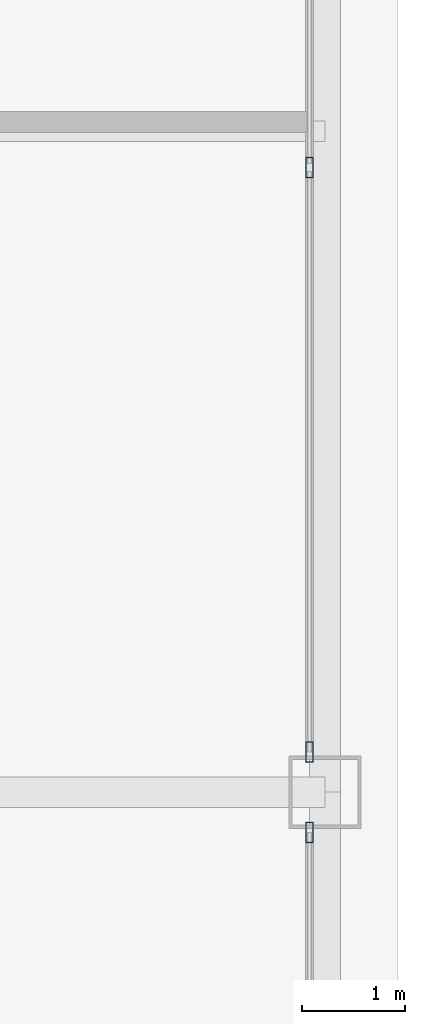
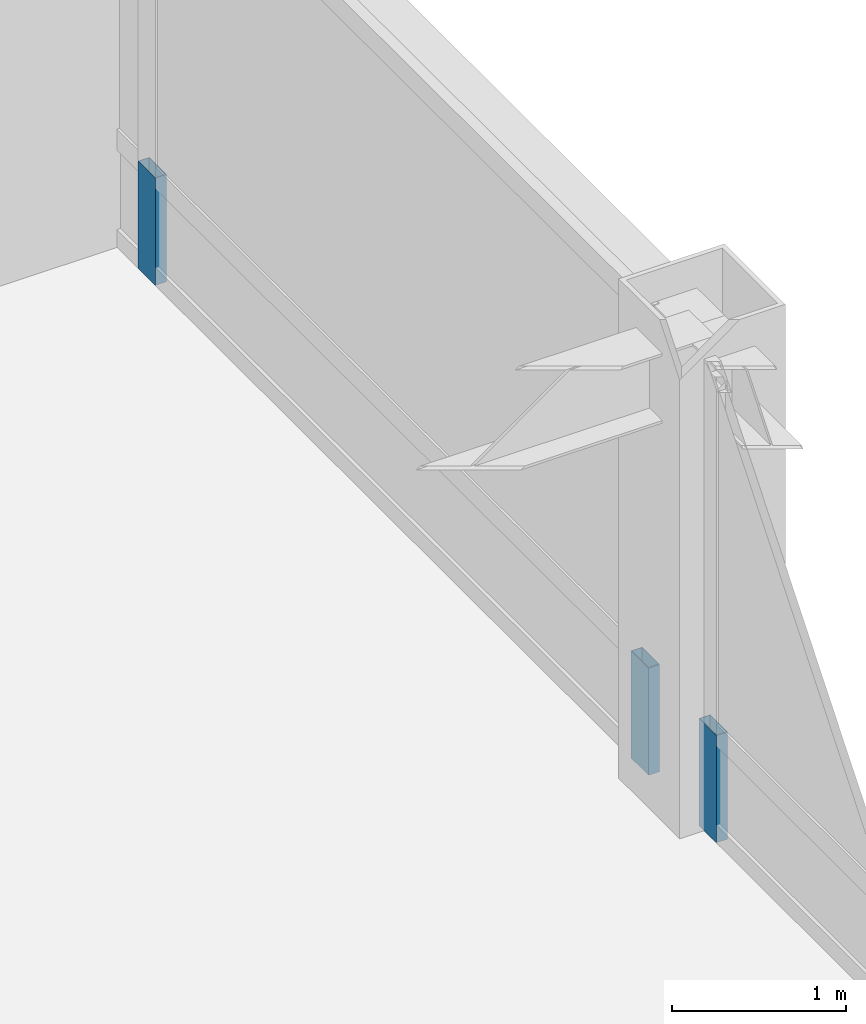
# One storey, part 23 of 33: 3 members, 2 elements without a shape of their own.
"""IFC4 building model written with IfcOpenShell, lengths in metres."""

import ifcopenshell
import ifcopenshell.guid

model = None  # the IFC model being written
_history = None  # IfcOwnerHistory: only IFC2X3 demands one
_inside = {}  # id of a spatial element -> (the spatial element, [elements in it])
_under = {}  # id of a project, library or spatial element -> (it, [spatial elements below it])
_declared = {}  # id of a project -> (the project, [libraries it declares])
_typed = {}  # id of a type object -> (the type object, [elements of that type])
_made_of = {}  # id of a material, layer set ... -> (it, [elements and type objects made of it])


def new_model(schema):
    """Start an empty IFC model of exactly this schema.

    Asked for "IFC4X3", IfcOpenShell would pick the latest addendum, in which some entities
    have other attributes; the version numbers below select the first issue.
    IFC2X3 requires an IfcOwnerHistory on every rooted entity: one is made here for all.
    """
    global model, _history
    if schema == "IFC4X3":
        model = ifcopenshell.file(schema_version=(4, 3, 0, 0))
    else:
        model = ifcopenshell.file(schema=schema)
    _inside.clear()
    _under.clear()
    _declared.clear()
    _typed.clear()
    _made_of.clear()
    _history = None
    if model.schema == "IFC2X3":
        org = make("IfcOrganization", Name="unknown")
        user = make(
            "IfcPersonAndOrganization",
            ThePerson=make("IfcPerson", FamilyName="unknown"),
            TheOrganization=org,
        )
        app = make(
            "IfcApplication",
            ApplicationDeveloper=org,
            Version="unknown",
            ApplicationFullName="unknown",
            ApplicationIdentifier="unknown",
        )
        _history = make(
            "IfcOwnerHistory",
            OwningUser=user,
            OwningApplication=app,
            ChangeAction="ADDED",
            CreationDate=0,
        )
    return model


def make(cls, **values):
    """One entity of the class cls with the attributes given. An attribute that is None is left unset."""
    return model.create_entity(
        cls, **{name: value for name, value in values.items() if value is not None}
    )


def rooted(cls, **values):
    """An entity with a GlobalId (a new one), such as an element, a storey or a relation."""
    return make(cls, GlobalId=ifcopenshell.guid.new(), OwnerHistory=_history, **values)


def si_unit(unit_type, name, prefix=None):
    """IfcSIUnit, for example si_unit("LENGTHUNIT", "METRE", prefix="MILLI")."""
    return make("IfcSIUnit", UnitType=unit_type, Prefix=prefix, Name=name)


def assignment(units):
    """IfcUnitAssignment: the units of a project."""
    return None if units is None else make("IfcUnitAssignment", Units=units)


def point(xyz):
    """IfcCartesianPoint."""
    return None if xyz is None else make("IfcCartesianPoint", Coordinates=xyz)


def direction(xyz):
    """IfcDirection."""
    return None if xyz is None else make("IfcDirection", DirectionRatios=xyz)


def frame(location, z_axis=None, x_axis=None):
    """IfcAxis2Placement3D, a coordinate frame: its origin and axes. An axis left out is left unset."""
    return make(
        "IfcAxis2Placement3D",
        Location=point(location),
        Axis=direction(z_axis),
        RefDirection=direction(x_axis),
    )


def frame_2d(location, x_axis=None):
    """IfcAxis2Placement2D, a coordinate frame in the plane: its origin and x axis."""
    return make(
        "IfcAxis2Placement2D", Location=point(location), RefDirection=direction(x_axis)
    )


def origin():
    """The frame at (0, 0, 0) with its axes left unset."""
    return frame((0.0, 0.0, 0.0))


def origin_2d():
    """The frame at (0, 0) in the plane with its x axis left unset."""
    return frame_2d((0.0, 0.0))


def place(relative_to, where):
    """IfcLocalPlacement: puts the frame where relative to a parent placement (None: the world)."""
    return make(
        "IfcLocalPlacement", PlacementRelTo=relative_to, RelativePlacement=where
    )


def context(
    kind, dimensions, precision=None, world=None, true_north=None, identifier=None
):
    """IfcGeometricRepresentationContext, for example the 3D "Model" context."""
    return make(
        "IfcGeometricRepresentationContext",
        ContextIdentifier=identifier,
        ContextType=kind,
        CoordinateSpaceDimension=dimensions,
        Precision=precision,
        WorldCoordinateSystem=world,
        TrueNorth=true_north,
    )


def subcontext(parent, identifier, kind, view, scale=None):
    """IfcGeometricRepresentationSubContext, for example "Body" below "Model"."""
    return make(
        "IfcGeometricRepresentationSubContext",
        ContextIdentifier=identifier,
        ContextType=kind,
        ParentContext=parent,
        TargetScale=scale,
        TargetView=view,
    )


def project(units=None, contexts=None):
    """IfcProject with its units and contexts."""
    return rooted(
        "IfcProject",
        Name="project",
        RepresentationContexts=contexts,
        UnitsInContext=assignment(units),
    )


def spatial(cls, under=None, at=None, **own):
    """A site, building, storey or space (cls), placed at a placement, below another one or the project."""
    s = rooted(cls, ObjectPlacement=at, **own)
    if under is not None:
        _under.setdefault(under.id(), (under, []))[1].append(s)
    return s


def profile(cls, at=None, kind="AREA", **sizes):
    """A parametric profile (cls). Its sizes go by their IFC names, for example OverallWidth=200.0."""
    return make(cls, ProfileType=kind, Position=at, **sizes)


def hollow_rectangle(**sizes):
    """IfcRectangleHollowProfileDef."""
    return profile("IfcRectangleHollowProfileDef", **sizes)


def extrude(swept, where, along, depth):
    """IfcExtrudedAreaSolid: the profile swept, set in the frame where, extruded along a direction by depth."""
    return make(
        "IfcExtrudedAreaSolid",
        SweptArea=swept,
        Position=where,
        ExtrudedDirection=direction(along),
        Depth=depth,
    )


def shape(context_of_items, identifier, shape_type, items):
    """IfcShapeRepresentation: the items that make up one representation, for example the "Body"."""
    return make(
        "IfcShapeRepresentation",
        ContextOfItems=context_of_items,
        RepresentationIdentifier=identifier,
        RepresentationType=shape_type,
        Items=items,
    )


def source(mapping_origin, context_of_items, identifier, shape_type, items):
    """IfcRepresentationMap: a shape defined once, which mapped items show again and again."""
    return make(
        "IfcRepresentationMap",
        MappingOrigin=mapping_origin,
        MappedRepresentation=shape(context_of_items, identifier, shape_type, items),
    )


def transform(
    local_origin,
    x_axis=None,
    y_axis=None,
    z_axis=None,
    scale=None,
    scale2=None,
    scale3=None,
    uniform=True,
):
    """IfcCartesianTransformationOperator3D, or its non-uniform kind. x_axis, y_axis, z_axis: its Axis1, 2, 3."""
    if uniform:
        return make(
            "IfcCartesianTransformationOperator3D",
            Axis1=direction(x_axis),
            Axis2=direction(y_axis),
            LocalOrigin=point(local_origin),
            Scale=scale,
            Axis3=direction(z_axis),
        )
    return make(
        "IfcCartesianTransformationOperator3DnonUniform",
        Axis1=direction(x_axis),
        Axis2=direction(y_axis),
        LocalOrigin=point(local_origin),
        Scale=scale,
        Axis3=direction(z_axis),
        Scale2=scale2,
        Scale3=scale3,
    )


def mapped(mapping_source, mapping_target):
    """IfcMappedItem: shows the shape of a source again, moved by a transform."""
    return make(
        "IfcMappedItem", MappingSource=mapping_source, MappingTarget=mapping_target
    )


def material(Name=None, Category=None):
    """IfcMaterial."""
    return make("IfcMaterial", Name=Name, Category=Category)


def layer(
    of_material, thickness, ventilated=None, Name=None, Category=None, Priority=None
):
    """IfcMaterialLayer: one layer of a wall or slab, of a material (None: an air gap)."""
    return make(
        "IfcMaterialLayer",
        Material=of_material,
        LayerThickness=thickness,
        IsVentilated=ventilated,
        Name=Name,
        Category=Category,
        Priority=Priority,
    )


def layer_set(layers, Name=None):
    """IfcMaterialLayerSet."""
    return make("IfcMaterialLayerSet", MaterialLayers=layers, LayerSetName=Name)


def material_profile(
    of_material, cross_section, Name=None, Category=None, Priority=None
):
    """IfcMaterialProfile: a cross section and its material."""
    return make(
        "IfcMaterialProfile",
        Name=Name,
        Material=of_material,
        Profile=cross_section,
        Priority=Priority,
        Category=Category,
    )


def profile_set(profiles, Name=None, composite=None):
    """IfcMaterialProfileSet."""
    return make(
        "IfcMaterialProfileSet",
        Name=Name,
        MaterialProfiles=profiles,
        CompositeProfile=composite,
    )


def made_of(thing, what):
    """Note that an element or type object is made of a material, layer set ...; save() writes the relation."""
    if what is not None:
        _made_of.setdefault(what.id(), (what, []))[1].append(thing)
    return thing


def type_object(cls, material=None, **own):
    """A type object (cls), such as IfcWallType, which elements share."""
    return made_of(rooted(cls, **own), material)


def element(
    cls,
    number,
    at=None,
    inside=None,
    cuts=None,
    type_object=None,
    material=None,
    context=None,
    identifier="Body",
    shape_type=None,
    held_by="IfcProductDefinitionShape",
    body=None,
    shapes=None,
    **own,
):
    """One element of the class cls, such as IfcWall. Its Tag is "e" and its number.

    at: its placement. inside: the storey or other place that contains it. cuts: it is an
    opening in that element (IfcRelVoidsElement). A single representation is given by context,
    identifier, shape_type and body (its items); several are given by shapes. held_by: the class
    of the entity that holds the representations. save() writes the other relations.
    """
    e = rooted(cls, Tag="e%d" % number, ObjectPlacement=at, **own)
    if body is not None:
        shapes = [shape(context, identifier, shape_type, body)]
    if shapes is not None:
        e.Representation = make(held_by, Representations=shapes)
    if inside is not None:
        _inside.setdefault(inside.id(), (inside, []))[1].append(e)
    if cuts is not None:
        rooted(
            "IfcRelVoidsElement", RelatingBuildingElement=cuts, RelatedOpeningElement=e
        )
    if type_object is not None:
        _typed.setdefault(type_object.id(), (type_object, []))[1].append(e)
    return made_of(e, material)


def aggregate(whole, parts):
    """IfcRelAggregates: a whole, such as a stair, and the parts it consists of."""
    return rooted("IfcRelAggregates", RelatingObject=whole, RelatedObjects=parts)


def save(model, path):
    """Write the relations noted so far, then the file.

    IfcRelAggregates (storeys below a building ...), IfcRelContainedInSpatialStructure (elements
    in a storey), IfcRelDefinesByType, IfcRelAssociatesMaterial and IfcRelDeclares: one each for
    every whole, place, type object, material and project.
    """
    for whole, parts in _under.values():
        aggregate(whole, parts)
    for where, things in _inside.values():
        rooted(
            "IfcRelContainedInSpatialStructure",
            RelatedElements=things,
            RelatingStructure=where,
        )
    for kind, things in _typed.values():
        rooted("IfcRelDefinesByType", RelatedObjects=things, RelatingType=kind)
    for what, things in _made_of.values():
        rooted("IfcRelAssociatesMaterial", RelatedObjects=things, RelatingMaterial=what)
    for by, libraries in _declared.values():
        rooted("IfcRelDeclares", RelatingContext=by, RelatedDefinitions=libraries)
    model.write(path)


model = new_model("IFC4")

# Units and contexts
model_context = context("Model", 3, precision=1e-05, world=origin(), true_north=direction((0.0, 1.0)))
body_context = subcontext(model_context, "Body", "Model", "MODEL_VIEW")
ifc_project = project(units=[si_unit("LENGTHUNIT", "METRE"), si_unit("AREAUNIT", "SQUARE_METRE"), si_unit("VOLUMEUNIT", "CUBIC_METRE"), si_unit("PLANEANGLEUNIT", "RADIAN"), si_unit("MASSUNIT", "GRAM", prefix="KILO"), si_unit("THERMODYNAMICTEMPERATUREUNIT", "KELVIN"), si_unit("POWERUNIT", "WATT")], contexts=[model_context])

# Site, building, storey
site_placement = place(None, origin())
site = spatial("IfcSite", under=ifc_project, at=site_placement, CompositionType="ELEMENT")
building_placement = place(site_placement, origin())
building = spatial("IfcBuilding", under=site, at=building_placement, Name="Yuzanri Waterfront Tower", CompositionType="ELEMENT")
storey_placement = place(building_placement, frame((0.0, 0.0, 292.60009765625)))
storey = spatial("IfcBuildingStorey", under=building, at=storey_placement, Name="L78", CompositionType="ELEMENT", Elevation=292.60009765625)

# Curtain wall, member
ifc_material_1 = material(Name="Anodized Architectural Bronze", Category="metal")
ifc_layer = layer(ifc_material_1, 0.159912109375)
ifc_layer_set = layer_set([ifc_layer], Name="Anodized Architectural Bronze")
curtain_wall_type = type_object("IfcCurtainWallType", Name="Anodized Bronze High-Rise Penthouse High-Wind Unitized Curtain Wall 6900", PredefinedType="NOTDEFINED", material=ifc_layer_set)
curtain_wall_1_placement = place(storey_placement, origin())
curtain_wall_1 = element("IfcCurtainWall", 1, at=curtain_wall_1_placement, inside=storey, type_object=curtain_wall_type, Name="L78 Curtain Wall CW-L78-EL", PredefinedType="NOTDEFINED")
ifc_material_2 = material(Name="Anodized Architectural Bronze", Category="metal")
ifc_material_profile = material_profile(ifc_material_2, hollow_rectangle(XDim=0.074951171875, YDim=0.199951171875, WallThickness=0.00390625, at=origin_2d()), Name="CWM 75x200")
ifc_profile_set = profile_set([ifc_material_profile], Name="Anodized Architectural Bronze")
member_type = type_object("IfcMemberType", Name="Anodized Bronze Primary Curtain-Wall Mullion 75x200", PredefinedType="MULLION", material=ifc_profile_set)
shared_shape = source(origin(), body_context, "Body", "SweptSolid", [
    extrude(hollow_rectangle(XDim=0.074951171875, YDim=0.199951171875, WallThickness=0.00390625, at=origin_2d()), origin(), (0.0, 0.0, 1.0), 0.751953125),
])
member_1_placement = place(storey_placement, frame((55.949951171875, 25.409912109375, 0.0), z_axis=(0.0, 0.0, 1.0), x_axis=(1.0, 0.0, 0.0)))
member_1 = element("IfcMember", 2, at=member_1_placement, type_object=member_type, Name="CW-L78-EL Lower Mullion 02", PredefinedType="MULLION", context=body_context, shape_type="MappedRepresentation", body=[
    mapped(shared_shape, transform((0.0, 0.0, 0.0), scale=1.0)),
])
aggregate(curtain_wall_1, [member_1])

# Curtain wall, members
curtain_wall_2_placement = place(storey_placement, origin())
curtain_wall_2 = element("IfcCurtainWall", 3, at=curtain_wall_2_placement, inside=storey, type_object=curtain_wall_type, Name="L78 Curtain Wall CW-L78-ER", PredefinedType="NOTDEFINED")
member_2_placement = place(storey_placement, frame((55.949951171875, 26.18994140625, 0.0), z_axis=(0.0, 0.0, 1.0), x_axis=(1.0, 0.0, 0.0)))
member_2 = element("IfcMember", 4, at=member_2_placement, type_object=member_type, Name="CW-L78-ER Lower Mullion 00", PredefinedType="MULLION", context=body_context, shape_type="MappedRepresentation", body=[
    mapped(shared_shape, transform((0.0, 0.0, 0.0), scale=1.0)),
])
member_3_placement = place(storey_placement, frame((55.949951171875, 31.85009765625, 0.0), z_axis=(0.0, 0.0, 1.0), x_axis=(1.0, 0.0, 0.0)))
member_3 = element("IfcMember", 5, at=member_3_placement, type_object=member_type, Name="CW-L78-ER Lower Mullion 01", PredefinedType="MULLION", context=body_context, shape_type="MappedRepresentation", body=[
    mapped(shared_shape, transform((0.0, 0.0, 0.0), scale=1.0)),
])
aggregate(curtain_wall_2, [member_2, member_3])

save(model, "model.ifc")
